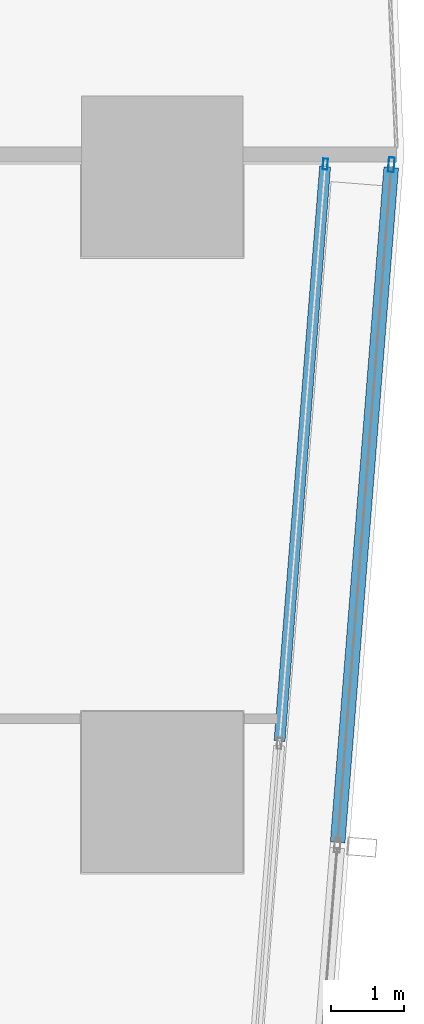
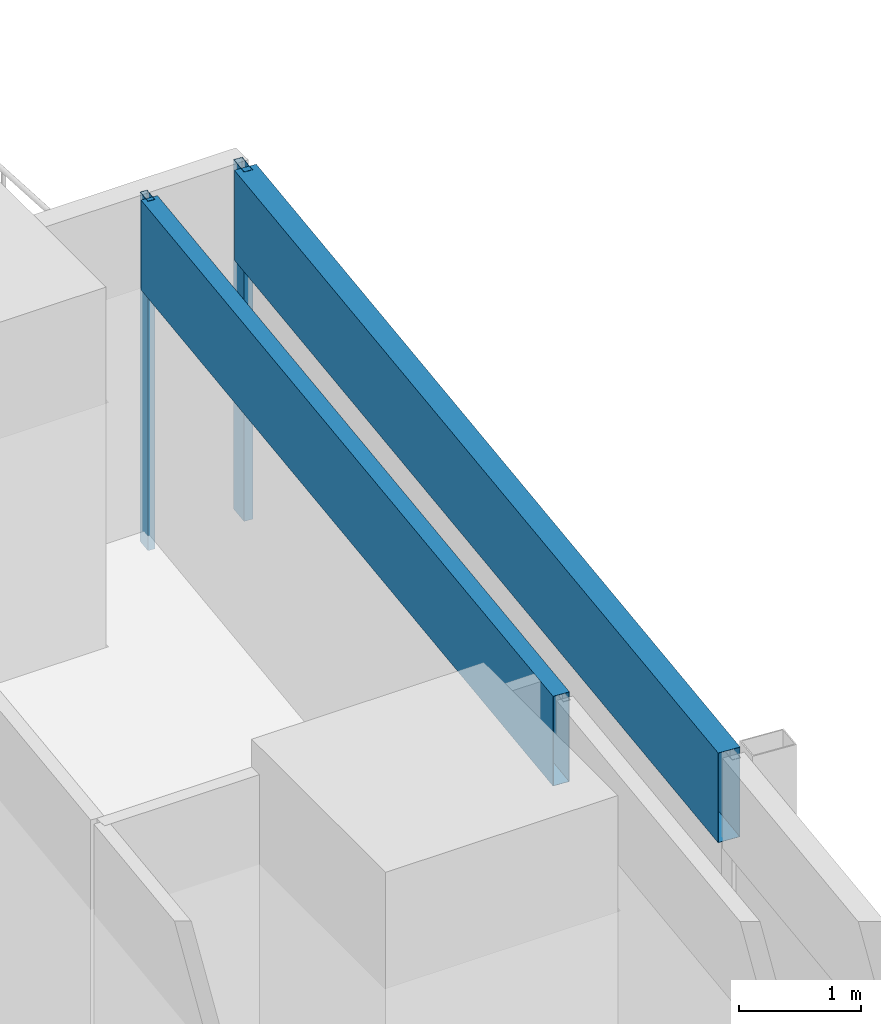
# One storey, part 26 of 42: 4 members, 2 elements without a shape of their own.
"""IFC4 building model written with IfcOpenShell, lengths in metres."""

from ifc_helpers import new_model, si_unit, direction, frame, origin, origin_2d, place, context, subcontext, project, spatial, hollow_rectangle, extrude, material, material_profile, profile_set, type_object, element, aggregate, save


model = new_model("IFC4")

# Units and contexts
model_context = context("Model", 3, precision=1e-05, world=origin(), true_north=direction((0.0, 1.0)))
body_context = subcontext(model_context, "Body", "Model", "MODEL_VIEW")
ifc_project = project(units=[si_unit("LENGTHUNIT", "METRE"), si_unit("AREAUNIT", "SQUARE_METRE"), si_unit("VOLUMEUNIT", "CUBIC_METRE"), si_unit("PLANEANGLEUNIT", "RADIAN"), si_unit("MASSUNIT", "GRAM", prefix="KILO")], contexts=[model_context])

# Site, building, storey
site_placement = place(None, origin())
site = spatial("IfcSite", under=ifc_project, at=site_placement, CompositionType="ELEMENT")
building_placement = place(site_placement, origin())
building = spatial("IfcBuilding", under=site, at=building_placement, Name="Rekha Terrace Tower", CompositionType="ELEMENT")
storey_placement = place(building_placement, frame((0.0, 0.0, 40.39990234375)))
storey = spatial("IfcBuildingStorey", under=building, at=storey_placement, Name="L09", CompositionType="ELEMENT", Elevation=40.39990234375)

# Curtain wall, members
ifc_material_1 = material(Name="Aluminium framing", Category="aluminium")
curtain_wall_type_1 = type_object("IfcCurtainWallType", Name="CW1 double skin inner glazing", PredefinedType="USERDEFINED", material=ifc_material_1)
curtain_wall_1_placement = place(storey_placement, origin())
curtain_wall_1 = element("IfcCurtainWall", 1, at=curtain_wall_1_placement, inside=storey, type_object=curtain_wall_type_1, Name="CW1 double skin inner glazing", ObjectType="DOUBLE SKIN INNER GLAZING", PredefinedType="USERDEFINED")
ifc_material_2 = material(Name="Aluminium mullion section", Category="aluminium")
ifc_material_profile_1 = material_profile(ifc_material_2, hollow_rectangle(XDim=0.06494140625, YDim=0.14990234375, WallThickness=0.00390625, at=origin_2d()), Name="AL RHS 65x150")
ifc_profile_set_1 = profile_set([ifc_material_profile_1], Name="Aluminium mullion section")
member_type_1 = type_object("IfcMemberType", Name="CW1 mullion RHS 65 x 150", PredefinedType="MULLION", material=ifc_profile_set_1)
member_1_placement = place(storey_placement, frame((69.426513671875, 25.37060546875, 0.0), z_axis=(0.0, 0.0, 1.0), x_axis=(-0.996865392578, 0.079116300982, 0.0)))
member_1 = element("IfcMember", 2, at=member_1_placement, type_object=member_type_1, Name="CW1 mullion 3", PredefinedType="MULLION", context=body_context, shape_type="SweptSolid", body=[
    extrude(hollow_rectangle(XDim=0.06494140625, YDim=0.14990234375, WallThickness=0.00390625, at=origin_2d()), origin(), (0.0, 0.0, 1.0), 3.5),
])
ifc_material_3 = material(Name="Insulated aluminium spandrel box", Category="aluminium")
ifc_material_profile_2 = material_profile(ifc_material_3, hollow_rectangle(XDim=0.14990234375, YDim=0.89990234375, WallThickness=0.0029296875, at=origin_2d()), Name="AL SPANDREL BOX 150x900")
ifc_profile_set_2 = profile_set([ifc_material_profile_2], Name="Insulated aluminium spandrel box")
member_type_2 = type_object("IfcMemberType", Name="CW1 spandrel transom 150 x 900", PredefinedType="USERDEFINED", material=ifc_profile_set_2)
member_2_placement = place(storey_placement, frame((68.801513671875, 17.49755859375, 3.050048828125), z_axis=(0.07912217646, 0.996864926252, 0.0), x_axis=(-0.996864926252, 0.07912217646, 0.0)))
member_2 = element("IfcMember", 3, at=member_2_placement, type_object=member_type_2, Name="CW1 spandrel transom 2", ObjectType="TRANSOM", PredefinedType="USERDEFINED", context=body_context, shape_type="SweptSolid", body=[
    extrude(hollow_rectangle(XDim=0.14990234375, YDim=0.89990234375, WallThickness=0.0029296875, at=origin_2d()), origin(), (0.0, 0.0, 1.0), 7.865234375),
])
aggregate(curtain_wall_1, [member_1, member_2])

curtain_wall_type_2 = type_object("IfcCurtainWallType", Name="CW2 double skin outer glazing", PredefinedType="USERDEFINED", material=ifc_material_1)
curtain_wall_2_placement = place(storey_placement, origin())
curtain_wall_2 = element("IfcCurtainWall", 4, at=curtain_wall_2_placement, inside=storey, type_object=curtain_wall_type_2, Name="CW2 double skin outer glazing", ObjectType="DOUBLE SKIN OUTER GLAZING", PredefinedType="USERDEFINED")
ifc_material_profile_3 = material_profile(ifc_material_2, hollow_rectangle(XDim=0.080078125, YDim=0.199951171875, WallThickness=0.00390625, at=origin_2d()), Name="AL RHS 80x200")
ifc_profile_set_3 = profile_set([ifc_material_profile_3], Name="Aluminium mullion section")
member_type_3 = type_object("IfcMemberType", Name="CW2 mullion RHS 80 x 200", PredefinedType="MULLION", material=ifc_profile_set_3)
member_3_placement = place(storey_placement, frame((70.32861328125, 25.363037109375, 0.0), z_axis=(0.0, 0.0, 1.0), x_axis=(-0.996865392578, 0.079116300982, 0.0)))
member_3 = element("IfcMember", 5, at=member_3_placement, type_object=member_type_3, Name="CW2 mullion 3", PredefinedType="MULLION", context=body_context, shape_type="SweptSolid", body=[
    extrude(hollow_rectangle(XDim=0.080078125, YDim=0.199951171875, WallThickness=0.00390625, at=origin_2d()), origin(), (0.0, 0.0, 1.0), 3.5),
])
ifc_material_profile_4 = material_profile(ifc_material_3, hollow_rectangle(XDim=0.199951171875, YDim=0.89990234375, WallThickness=0.0029296875, at=origin_2d()), Name="AL SPANDREL BOX 200x900")
ifc_profile_set_4 = profile_set([ifc_material_profile_4], Name="Insulated aluminium spandrel box")
member_type_4 = type_object("IfcMemberType", Name="CW2 spandrel transom 200 x 900", PredefinedType="USERDEFINED", material=ifc_profile_set_4)
member_4_placement = place(storey_placement, frame((69.5947265625, 16.11572265625, 3.050048828125), z_axis=(0.079111714731, 0.996865756555, 0.0), x_axis=(-0.996865756555, 0.079111714731, 0.0)))
member_4 = element("IfcMember", 6, at=member_4_placement, type_object=member_type_4, Name="CW2 spandrel transom 2", ObjectType="TRANSOM", PredefinedType="USERDEFINED", context=body_context, shape_type="SweptSolid", body=[
    extrude(hollow_rectangle(XDim=0.199951171875, YDim=0.89990234375, WallThickness=0.0029296875, at=origin_2d()), origin(), (0.0, 0.0, 1.0), 9.236572265625),
])
aggregate(curtain_wall_2, [member_3, member_4])

save(model, "model.ifc")
